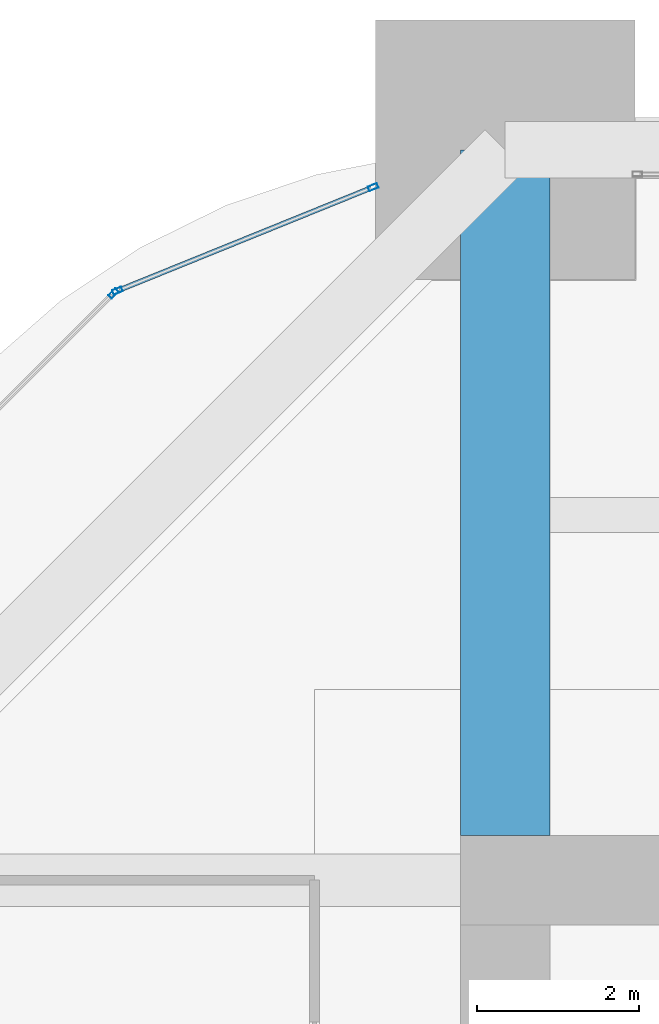
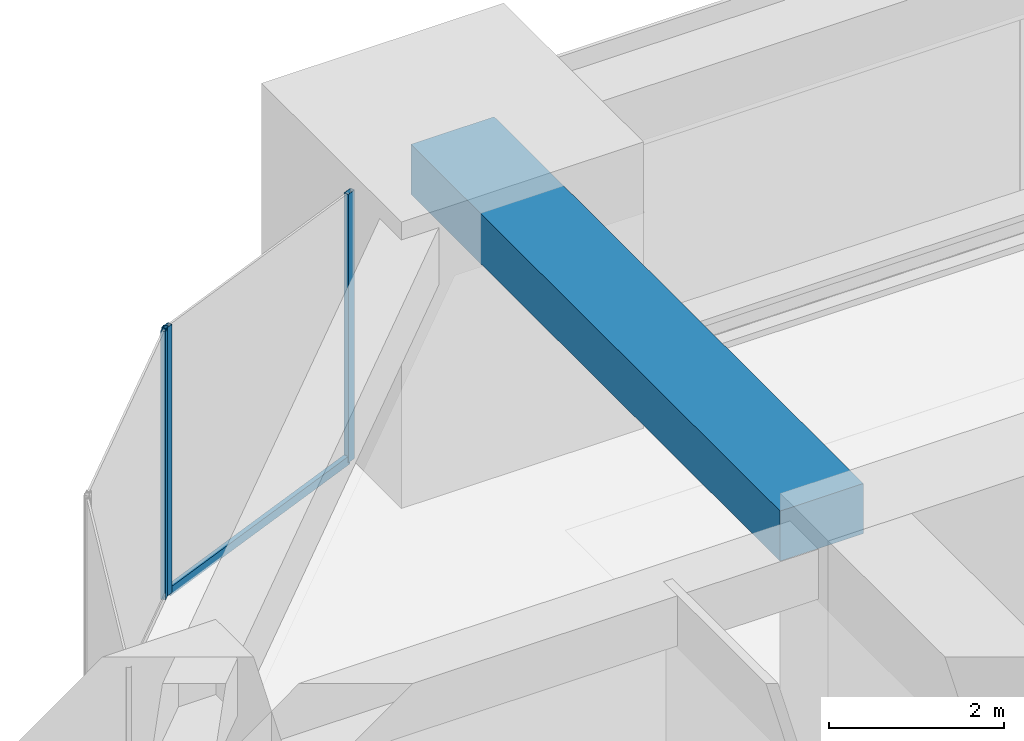
# One storey, part 29 of 43: 4 members, 1 beam, 2 elements without a shape of their own.
"""IFC4 building model written with IfcOpenShell, lengths in metres."""

import ifcopenshell
import ifcopenshell.guid

model = None  # the IFC model being written
_history = None  # IfcOwnerHistory: only IFC2X3 demands one
_inside = {}  # id of a spatial element -> (the spatial element, [elements in it])
_under = {}  # id of a project, library or spatial element -> (it, [spatial elements below it])
_declared = {}  # id of a project -> (the project, [libraries it declares])
_typed = {}  # id of a type object -> (the type object, [elements of that type])
_made_of = {}  # id of a material, layer set ... -> (it, [elements and type objects made of it])


def new_model(schema):
    """Start an empty IFC model of exactly this schema.

    Asked for "IFC4X3", IfcOpenShell would pick the latest addendum, in which some entities
    have other attributes; the version numbers below select the first issue.
    IFC2X3 requires an IfcOwnerHistory on every rooted entity: one is made here for all.
    """
    global model, _history
    if schema == "IFC4X3":
        model = ifcopenshell.file(schema_version=(4, 3, 0, 0))
    else:
        model = ifcopenshell.file(schema=schema)
    _inside.clear()
    _under.clear()
    _declared.clear()
    _typed.clear()
    _made_of.clear()
    _history = None
    if model.schema == "IFC2X3":
        org = make("IfcOrganization", Name="unknown")
        user = make(
            "IfcPersonAndOrganization",
            ThePerson=make("IfcPerson", FamilyName="unknown"),
            TheOrganization=org,
        )
        app = make(
            "IfcApplication",
            ApplicationDeveloper=org,
            Version="unknown",
            ApplicationFullName="unknown",
            ApplicationIdentifier="unknown",
        )
        _history = make(
            "IfcOwnerHistory",
            OwningUser=user,
            OwningApplication=app,
            ChangeAction="ADDED",
            CreationDate=0,
        )
    return model


def make(cls, **values):
    """One entity of the class cls with the attributes given. An attribute that is None is left unset."""
    return model.create_entity(
        cls, **{name: value for name, value in values.items() if value is not None}
    )


def rooted(cls, **values):
    """An entity with a GlobalId (a new one), such as an element, a storey or a relation."""
    return make(cls, GlobalId=ifcopenshell.guid.new(), OwnerHistory=_history, **values)


def si_unit(unit_type, name, prefix=None):
    """IfcSIUnit, for example si_unit("LENGTHUNIT", "METRE", prefix="MILLI")."""
    return make("IfcSIUnit", UnitType=unit_type, Prefix=prefix, Name=name)


def assignment(units):
    """IfcUnitAssignment: the units of a project."""
    return None if units is None else make("IfcUnitAssignment", Units=units)


def point(xyz):
    """IfcCartesianPoint."""
    return None if xyz is None else make("IfcCartesianPoint", Coordinates=xyz)


def direction(xyz):
    """IfcDirection."""
    return None if xyz is None else make("IfcDirection", DirectionRatios=xyz)


def frame(location, z_axis=None, x_axis=None):
    """IfcAxis2Placement3D, a coordinate frame: its origin and axes. An axis left out is left unset."""
    return make(
        "IfcAxis2Placement3D",
        Location=point(location),
        Axis=direction(z_axis),
        RefDirection=direction(x_axis),
    )


def frame_2d(location, x_axis=None):
    """IfcAxis2Placement2D, a coordinate frame in the plane: its origin and x axis."""
    return make(
        "IfcAxis2Placement2D", Location=point(location), RefDirection=direction(x_axis)
    )


def origin():
    """The frame at (0, 0, 0) with its axes left unset."""
    return frame((0.0, 0.0, 0.0))


def origin_2d():
    """The frame at (0, 0) in the plane with its x axis left unset."""
    return frame_2d((0.0, 0.0))


def place(relative_to, where):
    """IfcLocalPlacement: puts the frame where relative to a parent placement (None: the world)."""
    return make(
        "IfcLocalPlacement", PlacementRelTo=relative_to, RelativePlacement=where
    )


def context(
    kind, dimensions, precision=None, world=None, true_north=None, identifier=None
):
    """IfcGeometricRepresentationContext, for example the 3D "Model" context."""
    return make(
        "IfcGeometricRepresentationContext",
        ContextIdentifier=identifier,
        ContextType=kind,
        CoordinateSpaceDimension=dimensions,
        Precision=precision,
        WorldCoordinateSystem=world,
        TrueNorth=true_north,
    )


def subcontext(parent, identifier, kind, view, scale=None):
    """IfcGeometricRepresentationSubContext, for example "Body" below "Model"."""
    return make(
        "IfcGeometricRepresentationSubContext",
        ContextIdentifier=identifier,
        ContextType=kind,
        ParentContext=parent,
        TargetScale=scale,
        TargetView=view,
    )


def project(units=None, contexts=None):
    """IfcProject with its units and contexts."""
    return rooted(
        "IfcProject",
        Name="project",
        RepresentationContexts=contexts,
        UnitsInContext=assignment(units),
    )


def spatial(cls, under=None, at=None, **own):
    """A site, building, storey or space (cls), placed at a placement, below another one or the project."""
    s = rooted(cls, ObjectPlacement=at, **own)
    if under is not None:
        _under.setdefault(under.id(), (under, []))[1].append(s)
    return s


def profile(cls, at=None, kind="AREA", **sizes):
    """A parametric profile (cls). Its sizes go by their IFC names, for example OverallWidth=200.0."""
    return make(cls, ProfileType=kind, Position=at, **sizes)


def rectangle(**sizes):
    """IfcRectangleProfileDef."""
    return profile("IfcRectangleProfileDef", **sizes)


def hollow_rectangle(**sizes):
    """IfcRectangleHollowProfileDef."""
    return profile("IfcRectangleHollowProfileDef", **sizes)


def extrude(swept, where, along, depth):
    """IfcExtrudedAreaSolid: the profile swept, set in the frame where, extruded along a direction by depth."""
    return make(
        "IfcExtrudedAreaSolid",
        SweptArea=swept,
        Position=where,
        ExtrudedDirection=direction(along),
        Depth=depth,
    )


def shape(context_of_items, identifier, shape_type, items):
    """IfcShapeRepresentation: the items that make up one representation, for example the "Body"."""
    return make(
        "IfcShapeRepresentation",
        ContextOfItems=context_of_items,
        RepresentationIdentifier=identifier,
        RepresentationType=shape_type,
        Items=items,
    )


def material(Name=None, Category=None):
    """IfcMaterial."""
    return make("IfcMaterial", Name=Name, Category=Category)


def material_profile(
    of_material, cross_section, Name=None, Category=None, Priority=None
):
    """IfcMaterialProfile: a cross section and its material."""
    return make(
        "IfcMaterialProfile",
        Name=Name,
        Material=of_material,
        Profile=cross_section,
        Priority=Priority,
        Category=Category,
    )


def profile_set(profiles, Name=None, composite=None):
    """IfcMaterialProfileSet."""
    return make(
        "IfcMaterialProfileSet",
        Name=Name,
        MaterialProfiles=profiles,
        CompositeProfile=composite,
    )


def made_of(thing, what):
    """Note that an element or type object is made of a material, layer set ...; save() writes the relation."""
    if what is not None:
        _made_of.setdefault(what.id(), (what, []))[1].append(thing)
    return thing


def type_object(cls, material=None, **own):
    """A type object (cls), such as IfcWallType, which elements share."""
    return made_of(rooted(cls, **own), material)


def element(
    cls,
    number,
    at=None,
    inside=None,
    cuts=None,
    type_object=None,
    material=None,
    context=None,
    identifier="Body",
    shape_type=None,
    held_by="IfcProductDefinitionShape",
    body=None,
    shapes=None,
    **own,
):
    """One element of the class cls, such as IfcWall. Its Tag is "e" and its number.

    at: its placement. inside: the storey or other place that contains it. cuts: it is an
    opening in that element (IfcRelVoidsElement). A single representation is given by context,
    identifier, shape_type and body (its items); several are given by shapes. held_by: the class
    of the entity that holds the representations. save() writes the other relations.
    """
    e = rooted(cls, Tag="e%d" % number, ObjectPlacement=at, **own)
    if body is not None:
        shapes = [shape(context, identifier, shape_type, body)]
    if shapes is not None:
        e.Representation = make(held_by, Representations=shapes)
    if inside is not None:
        _inside.setdefault(inside.id(), (inside, []))[1].append(e)
    if cuts is not None:
        rooted(
            "IfcRelVoidsElement", RelatingBuildingElement=cuts, RelatedOpeningElement=e
        )
    if type_object is not None:
        _typed.setdefault(type_object.id(), (type_object, []))[1].append(e)
    return made_of(e, material)


def aggregate(whole, parts):
    """IfcRelAggregates: a whole, such as a stair, and the parts it consists of."""
    return rooted("IfcRelAggregates", RelatingObject=whole, RelatedObjects=parts)


def save(model, path):
    """Write the relations noted so far, then the file.

    IfcRelAggregates (storeys below a building ...), IfcRelContainedInSpatialStructure (elements
    in a storey), IfcRelDefinesByType, IfcRelAssociatesMaterial and IfcRelDeclares: one each for
    every whole, place, type object, material and project.
    """
    for whole, parts in _under.values():
        aggregate(whole, parts)
    for where, things in _inside.values():
        rooted(
            "IfcRelContainedInSpatialStructure",
            RelatedElements=things,
            RelatingStructure=where,
        )
    for kind, things in _typed.values():
        rooted("IfcRelDefinesByType", RelatedObjects=things, RelatingType=kind)
    for what, things in _made_of.values():
        rooted("IfcRelAssociatesMaterial", RelatedObjects=things, RelatingMaterial=what)
    for by, libraries in _declared.values():
        rooted("IfcRelDeclares", RelatingContext=by, RelatedDefinitions=libraries)
    model.write(path)


model = new_model("IFC4")

# Units and contexts
model_context = context("Model", 3, precision=1e-05, world=origin(), true_north=direction((0.0, 1.0)))
body_context = subcontext(model_context, "Body", "Model", "MODEL_VIEW")
ifc_project = project(units=[si_unit("LENGTHUNIT", "METRE"), si_unit("AREAUNIT", "SQUARE_METRE"), si_unit("VOLUMEUNIT", "CUBIC_METRE"), si_unit("PLANEANGLEUNIT", "RADIAN"), si_unit("MASSUNIT", "GRAM", prefix="KILO")], contexts=[model_context])

# Site, building, storey
site_placement = place(None, origin())
site = spatial("IfcSite", under=ifc_project, at=site_placement, CompositionType="ELEMENT")
building_placement = place(site_placement, origin())
building = spatial("IfcBuilding", under=site, at=building_placement, Name="Zorevar Civic Tower", CompositionType="ELEMENT")
storey_placement = place(building_placement, frame((0.0, 0.0, 243.39990234375)))
storey = spatial("IfcBuildingStorey", under=building, at=storey_placement, Name="L59", CompositionType="ELEMENT", Elevation=243.39990234375)

# Beam
ifc_material_1 = material(Name="Concrete C50/60", Category="concrete")
ifc_material_profile_1 = material_profile(ifc_material_1, rectangle(XDim=1.10009765625, YDim=0.699951171875, at=origin_2d()), Name="RC 1100x700")
ifc_profile_set_1 = profile_set([ifc_material_profile_1], Name="Concrete C50/60")
beam_type = type_object("IfcBeamType", Name="Beam RC 1100x700", PredefinedType="BEAM", material=ifc_profile_set_1)
beam_placement = place(storey_placement, frame((18.0, 36.550048828125, 3.400146484375), z_axis=(0.0, 1.0, 0.0), x_axis=(-1.0, 0.0, 0.0)))
element("IfcBeam", 1, at=beam_placement, inside=storey, type_object=beam_type, Name="Girder L60", PredefinedType="BEAM", context=body_context, shape_type="SweptSolid", body=[
    extrude(rectangle(XDim=1.10009765625, YDim=0.699951171875, at=origin_2d()), origin(), (0.0, 0.0, 1.0), 8.449951171875),
])

# Curtain wall, members
ifc_material_2 = material(Name="Dark grey solar-control glass in black aluminium frame", Category="aluminium")
curtain_wall_type = type_object("IfcCurtainWallType", Name="Curtain wall CW5 top zone", PredefinedType="NOTDEFINED", material=ifc_material_2)
curtain_wall_1_placement = place(storey_placement, origin())
curtain_wall_1 = element("IfcCurtainWall", 2, at=curtain_wall_1_placement, inside=storey, type_object=curtain_wall_type, Name="CW5 L59", PredefinedType="NOTDEFINED")
ifc_material_3 = material(Name="Aluminium, black anodised", Category="aluminium")
ifc_material_profile_2 = material_profile(ifc_material_3, hollow_rectangle(XDim=0.06005859375, YDim=0.1201171875, WallThickness=0.0029296875, at=origin_2d()), Name="AL 120x60x3")
ifc_profile_set_2 = profile_set([ifc_material_profile_2], Name="Aluminium, black anodised")
member_type_1 = type_object("IfcMemberType", Name="CW5 mullion AL 120x60x3", PredefinedType="MULLION", material=ifc_profile_set_2)
member_1_placement = place(storey_placement, frame((16.372314453125, 44.540283203125, 0.0), z_axis=(0.0, 0.0, 1.0), x_axis=(0.375650166453, -0.926761540227, 0.0)))
member_1 = element("IfcMember", 3, at=member_1_placement, type_object=member_type_1, Name="CW5 mullion 1", PredefinedType="MULLION", context=body_context, shape_type="SweptSolid", body=[
    extrude(hollow_rectangle(XDim=0.06005859375, YDim=0.1201171875, WallThickness=0.0029296875, at=origin_2d()), origin(), (0.0, 0.0, 1.0), 3.75),
])
member_2_placement = place(storey_placement, frame((13.221923828125, 43.263427734375, 0.0), z_axis=(0.0, 0.0, 1.0), x_axis=(0.375650166453, -0.926761540227, 0.0)))
member_2 = element("IfcMember", 4, at=member_2_placement, type_object=member_type_1, Name="CW5 mullion 2", PredefinedType="MULLION", context=body_context, shape_type="SweptSolid", body=[
    extrude(hollow_rectangle(XDim=0.06005859375, YDim=0.1201171875, WallThickness=0.0029296875, at=origin_2d()), origin(), (0.0, 0.0, 1.0), 3.75),
])

# Curtain wall, member
curtain_wall_2_placement = place(storey_placement, origin())
curtain_wall_2 = element("IfcCurtainWall", 5, at=curtain_wall_2_placement, inside=storey, type_object=curtain_wall_type, Name="CW5 L59", PredefinedType="NOTDEFINED")
member_3_placement = place(storey_placement, frame((13.1728515625, 43.23095703125, 0.0), z_axis=(0.0, 0.0, 1.0), x_axis=(0.707106781187, -0.707106781187, 0.0)))
member_3 = element("IfcMember", 6, at=member_3_placement, type_object=member_type_1, Name="CW5 mullion 1", PredefinedType="MULLION", context=body_context, shape_type="SweptSolid", body=[
    extrude(hollow_rectangle(XDim=0.06005859375, YDim=0.1201171875, WallThickness=0.0029296875, at=origin_2d()), origin(), (0.0, 0.0, 1.0), 3.75),
])
aggregate(curtain_wall_2, [member_3])

# Member
ifc_material_4 = material(Name="Aluminium, black anodised", Category="aluminium")
ifc_material_profile_3 = material_profile(ifc_material_4, hollow_rectangle(XDim=0.06005859375, YDim=0.1201171875, WallThickness=0.0029296875, at=origin_2d()), Name="AL 120x60x3")
ifc_profile_set_3 = profile_set([ifc_material_profile_3], Name="Aluminium, black anodised")
member_type_2 = type_object("IfcMemberType", Name="CW5 transom AL 120x60x3", PredefinedType="USERDEFINED", material=ifc_profile_set_3)
member_4_placement = place(storey_placement, frame((16.344482421875, 44.529052734375, 0.030029296875), z_axis=(-0.92676265847, -0.375647407638, 0.0), x_axis=(0.375647407638, -0.92676265847, 0.0)))
member_4 = element("IfcMember", 7, at=member_4_placement, type_object=member_type_2, Name="CW5 sill transom", ObjectType="TRANSOM", PredefinedType="USERDEFINED", context=body_context, shape_type="SweptSolid", body=[
    extrude(hollow_rectangle(XDim=0.06005859375, YDim=0.1201171875, WallThickness=0.0029296875, at=origin_2d()), origin(), (0.0, 0.0, 1.0), 3.33935546875),
])

aggregate(curtain_wall_1, [member_1, member_2, member_4])

save(model, "model.ifc")
